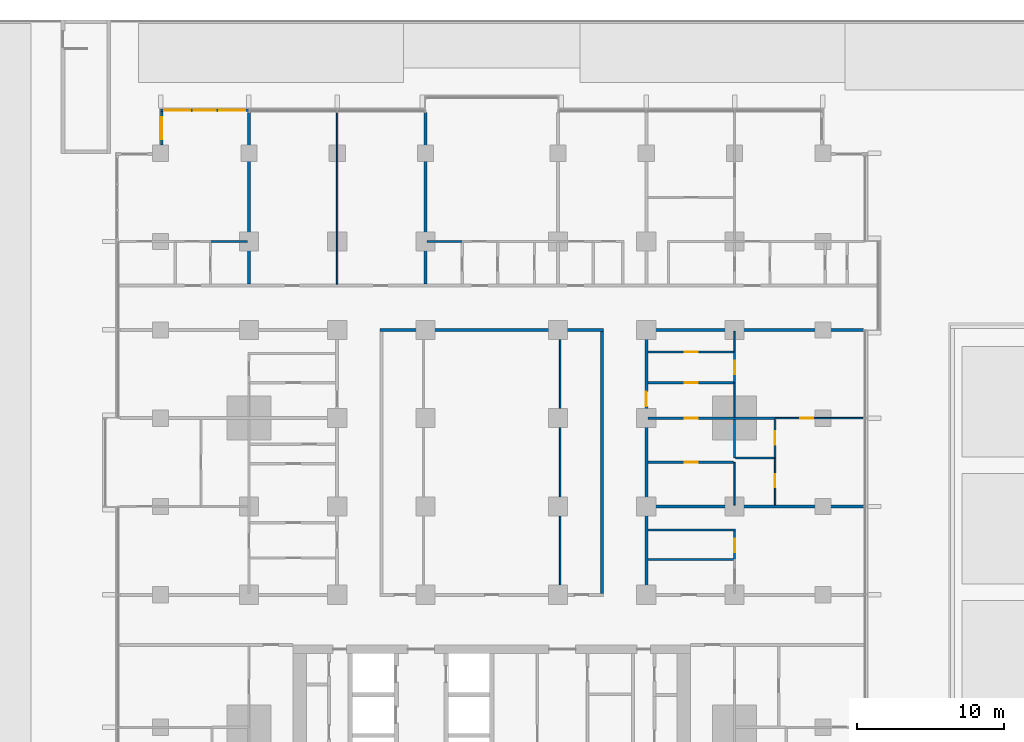
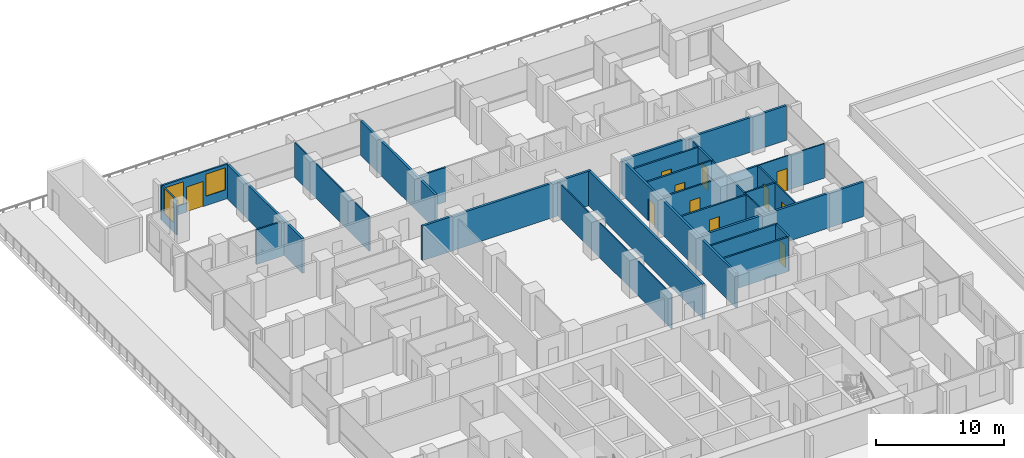
# One storey, part 14 of 25: 29 walls, 11 doors, 3 windows, 14 openings.
"""IFC4 building model written with IfcOpenShell, lengths in metres."""

from ifc_helpers import new_model, si_unit, direction, frame, frame_2d, origin, place, context, subcontext, project, spatial, rectangle, extrude, material, layer, layer_set, type_object, element, fill, save


model = new_model("IFC4")

# Units and contexts
model_context = context("Model", 3, precision=1e-05, world=origin(), true_north=direction((0.0, 1.0)))
body_context = subcontext(model_context, "Body", "Model", "MODEL_VIEW")
ifc_project = project(units=[si_unit("LENGTHUNIT", "METRE"), si_unit("AREAUNIT", "SQUARE_METRE"), si_unit("VOLUMEUNIT", "CUBIC_METRE"), si_unit("PLANEANGLEUNIT", "RADIAN"), si_unit("MASSUNIT", "GRAM", prefix="KILO")], contexts=[model_context])

# Site, building, storey
site_placement = place(None, origin())
site = spatial("IfcSite", under=ifc_project, at=site_placement, CompositionType="ELEMENT")
building_placement = place(site_placement, origin())
building = spatial("IfcBuilding", under=site, at=building_placement, Name="Finial Court Residences", CompositionType="ELEMENT")
storey_placement = place(building_placement, frame((0.0, 0.0, 32.5)))
storey = spatial("IfcBuildingStorey", under=building, at=storey_placement, Name="L06", CompositionType="ELEMENT", Elevation=32.5)

# Walls
ifc_material_1 = material(Name="Gypsum board")
ifc_layer_1 = layer(ifc_material_1, 0.02490234375)
ifc_material_2 = material(Name="Acoustic mineral wool in double frame")
ifc_layer_2 = layer(ifc_material_2, 0.14990234375)
ifc_layer_3 = layer(ifc_material_1, 0.02490234375)
ifc_layer_set_1 = layer_set([ifc_layer_1, ifc_layer_2, ifc_layer_3], Name="Acoustic party wall 200, 1 hour")
wall_type_1 = type_object("IfcWallType", Name="Acoustic party wall 200, 1 hour", PredefinedType="PARTITIONING", material=ifc_layer_set_1)
wall_1_placement = place(storey_placement, frame((10.60009765625, 1.5, 0.0), z_axis=(0.0, 0.0, 1.0), x_axis=(1.0, 0.0, 0.0)))
element("IfcWall", 1, at=wall_1_placement, inside=storey, type_object=wall_type_1, Name="Partition L06-019", PredefinedType="PARTITIONING", context=body_context, shape_type="SweptSolid", body=[
    extrude(rectangle(XDim=14.64990234375, YDim=0.199951171875, at=frame_2d((7.324951171875, 0.0))), origin(), (0.0, 0.0, 1.0), 3.300048828125),
])
ifc_layer_4 = layer(ifc_material_1, 0.02490234375)
ifc_layer_5 = layer(ifc_material_2, 0.14990234375)
ifc_layer_6 = layer(ifc_material_1, 0.02490234375)
ifc_layer_set_2 = layer_set([ifc_layer_4, ifc_layer_5, ifc_layer_6], Name="Corridor wall 200, 1 hour")
wall_type_2 = type_object("IfcWallType", Name="Corridor wall 200, 1 hour", PredefinedType="PARTITIONING", material=ifc_layer_set_2)
wall_2_placement = place(storey_placement, frame((-7.60009765625, 13.5, 0.0), z_axis=(0.0, 0.0, 1.0), x_axis=(1.0, 0.0, 0.0)))
element("IfcWall", 2, at=wall_2_placement, inside=storey, type_object=wall_type_2, Name="Partition L06-032", PredefinedType="PARTITIONING", context=body_context, shape_type="SweptSolid", body=[
    extrude(rectangle(XDim=15.2001953125, YDim=0.199951171875, at=frame_2d((7.60009765625, 0.0))), origin(), (0.0, 0.0, 1.0), 3.300048828125),
])
wall_3_placement = place(storey_placement, frame((10.39990234375, 13.5, 0.0), z_axis=(0.0, 0.0, 1.0), x_axis=(1.0, 0.0, 0.0)))
element("IfcWall", 3, at=wall_3_placement, inside=storey, type_object=wall_type_2, Name="Partition L06-033", PredefinedType="PARTITIONING", context=body_context, shape_type="SweptSolid", body=[
    extrude(rectangle(XDim=14.85009765625, YDim=0.199951171875, at=frame_2d((7.425048828125, 0.0))), origin(), (0.0, 0.0, 1.0), 3.300048828125),
])
for number, where, z_axis, x_axis, name in (
    (4, (-16.5, 16.60009765625, 0.0), (0.0, 0.0, 1.0), (0.0, 1.0, 0.0), "Partition L06-051"),
    (5, (-4.5, 16.60009765625, 0.0), (0.0, 0.0, 1.0), (0.0, 1.0, 0.0), "Partition L06-065"),
):
    element("IfcWall", number, at=place(storey_placement, frame(where, z_axis=z_axis, x_axis=x_axis)), inside=storey, type_object=wall_type_2, Name=name, PredefinedType="PARTITIONING", context=body_context, shape_type="SweptSolid", body=[
        extrude(rectangle(XDim=11.64990234375, YDim=0.199951171875, at=frame_2d((5.824951171875, 0.0))), origin(), (0.0, 0.0, 1.0), 3.300048828125),
    ])
wall_4_placement = place(storey_placement, frame((7.5, -4.39990234375, 0.0), z_axis=(0.0, 0.0, 1.0), x_axis=(0.0, 1.0, 0.0)))
element("IfcWall", 6, at=wall_4_placement, inside=storey, type_object=wall_type_2, Name="Partition L06-073", PredefinedType="PARTITIONING", context=body_context, shape_type="SweptSolid", body=[
    extrude(rectangle(XDim=17.7998046875, YDim=0.199951171875, at=frame_2d((8.89990234375, 0.0))), origin(), (0.0, 0.0, 1.0), 3.300048828125),
])

# Wall, opening, door
wall_5_placement = place(storey_placement, frame((10.5, -4.39990234375, 0.0), z_axis=(0.0, 0.0, 1.0), x_axis=(0.0, 1.0, 0.0)))
wall_5 = element("IfcWall", 7, at=wall_5_placement, inside=storey, type_object=wall_type_2, Name="Partition L06-075", PredefinedType="PARTITIONING", context=body_context, shape_type="SweptSolid", body=[
    extrude(rectangle(XDim=17.7998046875, YDim=0.199951171875, at=frame_2d((8.89990234375, 0.0))), origin(), (0.0, 0.0, 1.0), 3.300048828125),
])
opening_1_placement = place(wall_5_placement, frame((12.699951171875, 0.0, 0.0)))
opening_1 = element("IfcOpeningElement", 8, at=opening_1_placement, cuts=wall_5, Name="Opening L06-D047", PredefinedType="OPENING", context=body_context, shape_type="SweptSolid", body=[
    extrude(rectangle(XDim=1.0, YDim=2.10009765625, at=frame_2d((0.5, 1.050048828125))), frame((0.0, 0.10986328125, 0.0), z_axis=(0.0, -1.0, 0.0), x_axis=(1.0, 0.0, 0.0)), (0.0, 0.0, 1.0), 0.219970703125),
])
ifc_material_3 = material(Name="Timber door leaf in hollow metal frame", Category="wood")
door_type_1 = type_object("IfcDoorType", Name="Fire door set 1000 x 2100, 30 minutes", OperationType="SINGLE_SWING_LEFT", PredefinedType="DOOR", material=ifc_material_3)
door_1_placement = place(opening_1_placement, origin())
door_1 = element("IfcDoor", 9, at=door_1_placement, inside=storey, type_object=door_type_1, Name="Door L06-D047", OperationType="SINGLE_SWING_RIGHT", OverallHeight=2.10009765625, OverallWidth=1.0, PredefinedType="DOOR", context=body_context, shape_type="SweptSolid", body=[
    extrude(rectangle(XDim=1.0, YDim=2.10009765625, at=frame_2d((0.5, 1.050048828125))), frame((0.0, 0.02490234375, 0.0), z_axis=(0.0, -1.0, 0.0), x_axis=(1.0, 0.0, 0.0)), (0.0, 0.0, 1.0), 0.050048828125),
])
fill(opening_1, door_1)

ifc_layer_7 = layer(ifc_material_1, 0.012451171875)
ifc_material_4 = material(Name="Mineral wool in light-gauge frame")
ifc_layer_8 = layer(ifc_material_4, 0.074951171875)
ifc_layer_9 = layer(ifc_material_1, 0.012451171875)
ifc_layer_set_3 = layer_set([ifc_layer_7, ifc_layer_8, ifc_layer_9], Name="Gypsum board partition 100")
wall_type_3 = type_object("IfcWallType", Name="Gypsum board partition 100", PredefinedType="PARTITIONING", material=ifc_layer_set_3)
wall_6_placement = place(storey_placement, frame((19.25, 7.5, 0.0), z_axis=(0.0, 0.0, 1.0), x_axis=(1.0, 0.0, 0.0)))
wall_6 = element("IfcWall", 10, at=wall_6_placement, inside=storey, type_object=wall_type_3, Name="Partition L06-024", PredefinedType="PARTITIONING", context=body_context, shape_type="SweptSolid", body=[
    extrude(rectangle(XDim=6.0, YDim=0.10009765625, at=frame_2d((3.0, 0.0))), origin(), (0.0, 0.0, 1.0), 3.300048828125),
])
opening_2_placement = place(wall_6_placement, frame((1.699951171875, 0.0, 0.0)))
opening_2 = element("IfcOpeningElement", 11, at=opening_2_placement, cuts=wall_6, Name="Opening L06-D017", PredefinedType="OPENING", context=body_context, shape_type="SweptSolid", body=[
    extrude(rectangle(XDim=0.89990234375, YDim=2.10009765625, at=frame_2d((0.449951171875, 1.050048828125))), frame((0.0, 0.06005859375, 0.0), z_axis=(0.0, -1.0, 0.0), x_axis=(1.0, 0.0, 0.0)), (0.0, 0.0, 1.0), 0.1201171875),
])
ifc_material_5 = material(Name="Timber door leaf in timber frame", Category="wood")
door_type_2 = type_object("IfcDoorType", Name="Door set 900 x 2100", OperationType="SINGLE_SWING_LEFT", PredefinedType="DOOR", material=ifc_material_5)
door_2_placement = place(opening_2_placement, origin())
door_2 = element("IfcDoor", 12, at=door_2_placement, inside=storey, type_object=door_type_2, Name="Door L06-D017", OperationType="SINGLE_SWING_LEFT", OverallHeight=2.10009765625, OverallWidth=0.89990234375, PredefinedType="DOOR", context=body_context, shape_type="SweptSolid", body=[
    extrude(rectangle(XDim=0.89990234375, YDim=2.10009765625, at=frame_2d((0.449951171875, 1.050048828125))), frame((0.0, 0.02490234375, 0.0), z_axis=(0.0, -1.0, 0.0), x_axis=(1.0, 0.0, 0.0)), (0.0, 0.0, 1.0), 0.050048828125),
])
fill(opening_2, door_2)

# Walls
wall_7_placement = place(storey_placement, frame((-10.5, 16.60009765625, 0.0), z_axis=(0.0, 0.0, 1.0), x_axis=(0.0, 1.0, 0.0)))
element("IfcWall", 13, at=wall_7_placement, inside=storey, type_object=wall_type_3, Name="Partition L06-062", PredefinedType="PARTITIONING", context=body_context, shape_type="SweptSolid", body=[
    extrude(rectangle(XDim=11.64990234375, YDim=0.10009765625, at=frame_2d((5.824951171875, 0.0))), origin(), (0.0, 0.0, 1.0), 3.300048828125),
])
wall_8_placement = place(storey_placement, frame((4.64990234375, -4.39990234375, 0.0), z_axis=(0.0, 0.0, 1.0), x_axis=(0.0, 1.0, 0.0)))
element("IfcWall", 14, at=wall_8_placement, inside=storey, type_object=wall_type_3, Name="Partition L06-071", PredefinedType="PARTITIONING", context=body_context, shape_type="SweptSolid", body=[
    extrude(rectangle(XDim=17.7998046875, YDim=0.10009765625, at=frame_2d((8.89990234375, 0.0))), origin(), (0.0, 0.0, 1.0), 3.300048828125),
])
wall_9_placement = place(storey_placement, frame((16.5, 1.60009765625, 0.0), z_axis=(0.0, 0.0, 1.0), x_axis=(0.0, 1.0, 0.0)))
element("IfcWall", 15, at=wall_9_placement, inside=storey, type_object=wall_type_3, Name="Partition L06-080", PredefinedType="PARTITIONING", context=body_context, shape_type="SweptSolid", body=[
    extrude(rectangle(XDim=2.89990234375, YDim=0.10009765625, at=frame_2d((1.449951171875, 0.0))), origin(), (0.0, 0.0, 1.0), 3.300048828125),
])
wall_10_placement = place(storey_placement, frame((16.5, 7.574951171875, 0.0), z_axis=(0.0, 0.0, 1.0), x_axis=(0.0, 1.0, 0.0)))
element("IfcWall", 16, at=wall_10_placement, inside=storey, type_object=wall_type_3, Name="Partition L06-081", PredefinedType="PARTITIONING", context=body_context, shape_type="SweptSolid", body=[
    extrude(rectangle(XDim=2.324951171875, YDim=0.10009765625, at=frame_2d((1.16259765625, 0.0))), origin(), (0.0, 0.0, 1.0), 3.300048828125),
])
wall_11_placement = place(storey_placement, frame((16.5, 12.0, 0.0), z_axis=(0.0, 0.0, 1.0), x_axis=(0.0, 1.0, 0.0)))
element("IfcWall", 17, at=wall_11_placement, inside=storey, type_object=wall_type_3, Name="Partition L06-082", PredefinedType="PARTITIONING", context=body_context, shape_type="SweptSolid", body=[
    extrude(rectangle(XDim=1.39990234375, YDim=0.10009765625, at=frame_2d((0.699951171875, 0.0))), origin(), (0.0, 0.0, 1.0), 3.300048828125),
])

# Wall, opening, door
wall_12_placement = place(storey_placement, frame((19.25, 1.60009765625, 0.0), z_axis=(0.0, 0.0, 1.0), x_axis=(0.0, 1.0, 0.0)))
wall_12 = element("IfcWall", 18, at=wall_12_placement, inside=storey, type_object=wall_type_3, Name="Partition L06-091", PredefinedType="PARTITIONING", context=body_context, shape_type="SweptSolid", body=[
    extrude(rectangle(XDim=3.199951171875, YDim=0.10009765625, at=frame_2d((1.60009765625, 0.0))), origin(), (0.0, 0.0, 1.0), 3.300048828125),
])
opening_3_placement = place(wall_12_placement, frame((1.199951171875, 0.0, 0.0)))
opening_3 = element("IfcOpeningElement", 19, at=opening_3_placement, cuts=wall_12, Name="Opening L06-D055", PredefinedType="OPENING", context=body_context, shape_type="SweptSolid", body=[
    extrude(rectangle(XDim=0.89990234375, YDim=2.10009765625, at=frame_2d((0.449951171875, 1.050048828125))), frame((0.0, 0.06005859375, 0.0), z_axis=(0.0, -1.0, 0.0), x_axis=(1.0, 0.0, 0.0)), (0.0, 0.0, 1.0), 0.1201171875),
])
door_3_placement = place(opening_3_placement, origin())
door_3 = element("IfcDoor", 20, at=door_3_placement, inside=storey, type_object=door_type_2, Name="Door L06-D055", OperationType="SINGLE_SWING_RIGHT", OverallHeight=2.10009765625, OverallWidth=0.89990234375, PredefinedType="DOOR", context=body_context, shape_type="SweptSolid", body=[
    extrude(rectangle(XDim=0.89990234375, YDim=2.10009765625, at=frame_2d((0.449951171875, 1.050048828125))), frame((0.0, 0.02490234375, 0.0), z_axis=(0.0, -1.0, 0.0), x_axis=(1.0, 0.0, 0.0)), (0.0, 0.0, 1.0), 0.050048828125),
])
fill(opening_3, door_3)

# Walls
ifc_material_6 = material(Name="Moisture-resistant gypsum board")
ifc_layer_10 = layer(ifc_material_6, 0.012451171875)
ifc_layer_11 = layer(ifc_material_4, 0.125)
ifc_layer_12 = layer(ifc_material_6, 0.012451171875)
ifc_layer_set_4 = layer_set([ifc_layer_10, ifc_layer_11, ifc_layer_12], Name="Gypsum board wet-area partition 150")
wall_type_4 = type_object("IfcWallType", Name="Gypsum board wet-area partition 150", PredefinedType="PARTITIONING", material=ifc_layer_set_4)
wall_13_placement = place(storey_placement, frame((10.60009765625, -2.10009765625, 0.0), z_axis=(0.0, 0.0, 1.0), x_axis=(1.0, 0.0, 0.0)))
element("IfcWall", 21, at=wall_13_placement, inside=storey, type_object=wall_type_4, Name="Partition L06-014", PredefinedType="PARTITIONING", context=body_context, shape_type="SweptSolid", body=[
    extrude(rectangle(XDim=5.824951171875, YDim=0.14990234375, at=frame_2d((2.91259765625, 0.0))), origin(), (0.0, 0.0, 1.0), 3.300048828125),
])
wall_14_placement = place(storey_placement, frame((10.60009765625, -0.10009765625, 0.0), z_axis=(0.0, 0.0, 1.0), x_axis=(1.0, 0.0, 0.0)))
element("IfcWall", 22, at=wall_14_placement, inside=storey, type_object=wall_type_4, Name="Partition L06-016", PredefinedType="PARTITIONING", context=body_context, shape_type="SweptSolid", body=[
    extrude(rectangle(XDim=5.974853515625, YDim=0.14990234375, at=frame_2d((2.9873046875, 0.0))), origin(), (0.0, 0.0, 1.0), 3.300048828125),
])

# Wall, opening, door
wall_15_placement = place(storey_placement, frame((10.60009765625, 4.5, 0.0), z_axis=(0.0, 0.0, 1.0), x_axis=(1.0, 0.0, 0.0)))
wall_15 = element("IfcWall", 23, at=wall_15_placement, inside=storey, type_object=wall_type_4, Name="Partition L06-021", PredefinedType="PARTITIONING", context=body_context, shape_type="SweptSolid", body=[
    extrude(rectangle(XDim=5.824951171875, YDim=0.14990234375, at=frame_2d((2.91259765625, 0.0))), origin(), (0.0, 0.0, 1.0), 3.300048828125),
])
opening_4_placement = place(wall_15_placement, frame((2.5, 0.0, 0.0)))
opening_4 = element("IfcOpeningElement", 24, at=opening_4_placement, cuts=wall_15, Name="Opening L06-D015", PredefinedType="OPENING", context=body_context, shape_type="SweptSolid", body=[
    extrude(rectangle(XDim=0.89990234375, YDim=2.10009765625, at=frame_2d((0.449951171875, 1.050048828125))), frame((0.0, 0.0849609375, 0.0), z_axis=(0.0, -1.0, 0.0), x_axis=(1.0, 0.0, 0.0)), (0.0, 0.0, 1.0), 0.169921875),
])
door_4_placement = place(opening_4_placement, origin())
door_4 = element("IfcDoor", 25, at=door_4_placement, inside=storey, type_object=door_type_2, Name="Door L06-D015", OperationType="SINGLE_SWING_LEFT", OverallHeight=2.10009765625, OverallWidth=0.89990234375, PredefinedType="DOOR", context=body_context, shape_type="SweptSolid", body=[
    extrude(rectangle(XDim=0.89990234375, YDim=2.10009765625, at=frame_2d((0.449951171875, 1.050048828125))), frame((0.0, 0.02490234375, 0.0), z_axis=(0.0, -1.0, 0.0), x_axis=(1.0, 0.0, 0.0)), (0.0, 0.0, 1.0), 0.050048828125),
])
fill(opening_4, door_4)

# Wall
wall_16_placement = place(storey_placement, frame((16.574951171875, 4.800048828125, 0.0), z_axis=(0.0, 0.0, 1.0), x_axis=(1.0, 0.0, 0.0)))
element("IfcWall", 26, at=wall_16_placement, inside=storey, type_object=wall_type_4, Name="Partition L06-022", PredefinedType="PARTITIONING", context=body_context, shape_type="SweptSolid", body=[
    extrude(rectangle(XDim=2.60009765625, YDim=0.14990234375, at=frame_2d((1.300048828125, 0.0))), origin(), (0.0, 0.0, 1.0), 3.300048828125),
])

# Wall, opening, door
wall_17_placement = place(storey_placement, frame((10.60009765625, 7.5, 0.0), z_axis=(0.0, 0.0, 1.0), x_axis=(1.0, 0.0, 0.0)))
wall_17 = element("IfcWall", 27, at=wall_17_placement, inside=storey, type_object=wall_type_4, Name="Partition L06-026", PredefinedType="PARTITIONING", context=body_context, shape_type="SweptSolid", body=[
    extrude(rectangle(XDim=8.64990234375, YDim=0.14990234375, at=frame_2d((4.324951171875, 0.0))), origin(), (0.0, 0.0, 1.0), 3.300048828125),
])
opening_5_placement = place(wall_17_placement, frame((2.5, 0.0, 0.0)))
opening_5 = element("IfcOpeningElement", 28, at=opening_5_placement, cuts=wall_17, Name="Opening L06-D018", PredefinedType="OPENING", context=body_context, shape_type="SweptSolid", body=[
    extrude(rectangle(XDim=0.89990234375, YDim=2.10009765625, at=frame_2d((0.449951171875, 1.050048828125))), frame((0.0, 0.0849609375, 0.0), z_axis=(0.0, -1.0, 0.0), x_axis=(1.0, 0.0, 0.0)), (0.0, 0.0, 1.0), 0.169921875),
])
door_5_placement = place(opening_5_placement, origin())
door_5 = element("IfcDoor", 29, at=door_5_placement, inside=storey, type_object=door_type_2, Name="Door L06-D018", OperationType="SINGLE_SWING_LEFT", OverallHeight=2.10009765625, OverallWidth=0.89990234375, PredefinedType="DOOR", context=body_context, shape_type="SweptSolid", body=[
    extrude(rectangle(XDim=0.89990234375, YDim=2.10009765625, at=frame_2d((0.449951171875, 1.050048828125))), frame((0.0, 0.02490234375, 0.0), z_axis=(0.0, -1.0, 0.0), x_axis=(1.0, 0.0, 0.0)), (0.0, 0.0, 1.0), 0.050048828125),
])
fill(opening_5, door_5)

wall_18_placement = place(storey_placement, frame((10.60009765625, 9.89990234375, 0.0), z_axis=(0.0, 0.0, 1.0), x_axis=(1.0, 0.0, 0.0)))
wall_18 = element("IfcWall", 30, at=wall_18_placement, inside=storey, type_object=wall_type_4, Name="Partition L06-028", PredefinedType="PARTITIONING", context=body_context, shape_type="SweptSolid", body=[
    extrude(rectangle(XDim=5.824951171875, YDim=0.14990234375, at=frame_2d((2.91259765625, 0.0))), origin(), (0.0, 0.0, 1.0), 3.300048828125),
])
opening_6_placement = place(wall_18_placement, frame((2.5, 0.0, 0.0)))
opening_6 = element("IfcOpeningElement", 31, at=opening_6_placement, cuts=wall_18, Name="Opening L06-D020", PredefinedType="OPENING", context=body_context, shape_type="SweptSolid", body=[
    extrude(rectangle(XDim=0.89990234375, YDim=2.10009765625, at=frame_2d((0.449951171875, 1.050048828125))), frame((0.0, 0.0849609375, 0.0), z_axis=(0.0, -1.0, 0.0), x_axis=(1.0, 0.0, 0.0)), (0.0, 0.0, 1.0), 0.169921875),
])
door_6_placement = place(opening_6_placement, origin())
door_6 = element("IfcDoor", 32, at=door_6_placement, inside=storey, type_object=door_type_2, Name="Door L06-D020", OperationType="SINGLE_SWING_LEFT", OverallHeight=2.10009765625, OverallWidth=0.89990234375, PredefinedType="DOOR", context=body_context, shape_type="SweptSolid", body=[
    extrude(rectangle(XDim=0.89990234375, YDim=2.10009765625, at=frame_2d((0.449951171875, 1.050048828125))), frame((0.0, 0.02490234375, 0.0), z_axis=(0.0, -1.0, 0.0), x_axis=(1.0, 0.0, 0.0)), (0.0, 0.0, 1.0), 0.050048828125),
])
fill(opening_6, door_6)

wall_19_placement = place(storey_placement, frame((10.60009765625, 12.0, 0.0), z_axis=(0.0, 0.0, 1.0), x_axis=(1.0, 0.0, 0.0)))
wall_19 = element("IfcWall", 33, at=wall_19_placement, inside=storey, type_object=wall_type_4, Name="Partition L06-030", PredefinedType="PARTITIONING", context=body_context, shape_type="SweptSolid", body=[
    extrude(rectangle(XDim=5.824951171875, YDim=0.14990234375, at=frame_2d((2.91259765625, 0.0))), origin(), (0.0, 0.0, 1.0), 3.300048828125),
])
opening_7_placement = place(wall_19_placement, frame((2.5, 0.0, 0.0)))
opening_7 = element("IfcOpeningElement", 34, at=opening_7_placement, cuts=wall_19, Name="Opening L06-D021", PredefinedType="OPENING", context=body_context, shape_type="SweptSolid", body=[
    extrude(rectangle(XDim=0.89990234375, YDim=2.10009765625, at=frame_2d((0.449951171875, 1.050048828125))), frame((0.0, 0.0849609375, 0.0), z_axis=(0.0, -1.0, 0.0), x_axis=(1.0, 0.0, 0.0)), (0.0, 0.0, 1.0), 0.169921875),
])
door_7_placement = place(opening_7_placement, origin())
door_7 = element("IfcDoor", 35, at=door_7_placement, inside=storey, type_object=door_type_2, Name="Door L06-D021", OperationType="SINGLE_SWING_LEFT", OverallHeight=2.10009765625, OverallWidth=0.89990234375, PredefinedType="DOOR", context=body_context, shape_type="SweptSolid", body=[
    extrude(rectangle(XDim=0.89990234375, YDim=2.10009765625, at=frame_2d((0.449951171875, 1.050048828125))), frame((0.0, 0.02490234375, 0.0), z_axis=(0.0, -1.0, 0.0), x_axis=(1.0, 0.0, 0.0)), (0.0, 0.0, 1.0), 0.050048828125),
])
fill(opening_7, door_7)

# Walls
wall_20_placement = place(storey_placement, frame((-19.10009765625, 19.5, 0.0), z_axis=(0.0, 0.0, 1.0), x_axis=(1.0, 0.0, 0.0)))
element("IfcWall", 36, at=wall_20_placement, inside=storey, type_object=wall_type_4, Name="Partition L06-040", PredefinedType="PARTITIONING", context=body_context, shape_type="SweptSolid", body=[
    extrude(rectangle(XDim=2.5, YDim=0.14990234375, at=frame_2d((1.25, 0.0))), origin(), (0.0, 0.0, 1.0), 3.300048828125),
])
wall_21_placement = place(storey_placement, frame((-4.39990234375, 19.5, 0.0), z_axis=(0.0, 0.0, 1.0), x_axis=(1.0, 0.0, 0.0)))
element("IfcWall", 37, at=wall_21_placement, inside=storey, type_object=wall_type_4, Name="Partition L06-041", PredefinedType="PARTITIONING", context=body_context, shape_type="SweptSolid", body=[
    extrude(rectangle(XDim=2.39990234375, YDim=0.14990234375, at=frame_2d((1.199951171875, 0.0))), origin(), (0.0, 0.0, 1.0), 3.300048828125),
])

# Wall, opening, door
wall_22_placement = place(storey_placement, frame((16.5, -2.10009765625, 0.0), z_axis=(0.0, 0.0, 1.0), x_axis=(0.0, 1.0, 0.0)))
wall_22 = element("IfcWall", 38, at=wall_22_placement, inside=storey, type_object=wall_type_4, Name="Partition L06-086", PredefinedType="PARTITIONING", context=body_context, shape_type="SweptSolid", body=[
    extrude(rectangle(XDim=1.925048828125, YDim=0.14990234375, at=frame_2d((0.96240234375, 0.0))), origin(), (0.0, 0.0, 1.0), 3.300048828125),
])
opening_8_placement = place(wall_22_placement, frame((0.5, 0.0, 0.0)))
opening_8 = element("IfcOpeningElement", 39, at=opening_8_placement, cuts=wall_22, Name="Opening L06-D051", PredefinedType="OPENING", context=body_context, shape_type="SweptSolid", body=[
    extrude(rectangle(XDim=0.89990234375, YDim=2.10009765625, at=frame_2d((0.449951171875, 1.050048828125))), frame((0.0, 0.0849609375, 0.0), z_axis=(0.0, -1.0, 0.0), x_axis=(1.0, 0.0, 0.0)), (0.0, 0.0, 1.0), 0.169921875),
])
door_8_placement = place(opening_8_placement, origin())
door_8 = element("IfcDoor", 40, at=door_8_placement, inside=storey, type_object=door_type_2, Name="Door L06-D051", OperationType="SINGLE_SWING_RIGHT", OverallHeight=2.10009765625, OverallWidth=0.89990234375, PredefinedType="DOOR", context=body_context, shape_type="SweptSolid", body=[
    extrude(rectangle(XDim=0.89990234375, YDim=2.10009765625, at=frame_2d((0.449951171875, 1.050048828125))), frame((0.0, 0.02490234375, 0.0), z_axis=(0.0, -1.0, 0.0), x_axis=(1.0, 0.0, 0.0)), (0.0, 0.0, 1.0), 0.050048828125),
])
fill(opening_8, door_8)

# Wall
wall_23_placement = place(storey_placement, frame((16.5, 4.800048828125, 0.0), z_axis=(0.0, 0.0, 1.0), x_axis=(0.0, 1.0, 0.0)))
element("IfcWall", 41, at=wall_23_placement, inside=storey, type_object=wall_type_4, Name="Partition L06-087", PredefinedType="PARTITIONING", context=body_context, shape_type="SweptSolid", body=[
    extrude(rectangle(XDim=2.625, YDim=0.14990234375, at=frame_2d((1.3125, 0.0))), origin(), (0.0, 0.0, 1.0), 3.300048828125),
])

# Wall, opening, door
wall_24_placement = place(storey_placement, frame((16.5, 9.89990234375, 0.0), z_axis=(0.0, 0.0, 1.0), x_axis=(0.0, 1.0, 0.0)))
wall_24 = element("IfcWall", 42, at=wall_24_placement, inside=storey, type_object=wall_type_4, Name="Partition L06-088", PredefinedType="PARTITIONING", context=body_context, shape_type="SweptSolid", body=[
    extrude(rectangle(XDim=2.10009765625, YDim=0.14990234375, at=frame_2d((1.050048828125, 0.0))), origin(), (0.0, 0.0, 1.0), 3.300048828125),
])
opening_9_placement = place(wall_24_placement, frame((0.60009765625, 0.0, 0.0)))
opening_9 = element("IfcOpeningElement", 43, at=opening_9_placement, cuts=wall_24, Name="Opening L06-D052", PredefinedType="OPENING", context=body_context, shape_type="SweptSolid", body=[
    extrude(rectangle(XDim=0.89990234375, YDim=2.10009765625, at=frame_2d((0.449951171875, 1.050048828125))), frame((0.0, 0.0849609375, 0.0), z_axis=(0.0, -1.0, 0.0), x_axis=(1.0, 0.0, 0.0)), (0.0, 0.0, 1.0), 0.169921875),
])
door_9_placement = place(opening_9_placement, origin())
door_9 = element("IfcDoor", 44, at=door_9_placement, inside=storey, type_object=door_type_2, Name="Door L06-D052", OperationType="SINGLE_SWING_LEFT", OverallHeight=2.10009765625, OverallWidth=0.89990234375, PredefinedType="DOOR", context=body_context, shape_type="SweptSolid", body=[
    extrude(rectangle(XDim=0.89990234375, YDim=2.10009765625, at=frame_2d((0.449951171875, 1.050048828125))), frame((0.0, 0.02490234375, 0.0), z_axis=(0.0, -1.0, 0.0), x_axis=(1.0, 0.0, 0.0)), (0.0, 0.0, 1.0), 0.050048828125),
])
fill(opening_9, door_9)

wall_25_placement = place(storey_placement, frame((19.25, 4.800048828125, 0.0), z_axis=(0.0, 0.0, 1.0), x_axis=(0.0, 1.0, 0.0)))
wall_25 = element("IfcWall", 45, at=wall_25_placement, inside=storey, type_object=wall_type_4, Name="Partition L06-092", PredefinedType="PARTITIONING", context=body_context, shape_type="SweptSolid", body=[
    extrude(rectangle(XDim=2.625, YDim=0.14990234375, at=frame_2d((1.3125, 0.0))), origin(), (0.0, 0.0, 1.0), 3.300048828125),
])
opening_10_placement = place(wall_25_placement, frame((0.89990234375, 0.0, 0.0)))
opening_10 = element("IfcOpeningElement", 46, at=opening_10_placement, cuts=wall_25, Name="Opening L06-D056", PredefinedType="OPENING", context=body_context, shape_type="SweptSolid", body=[
    extrude(rectangle(XDim=0.89990234375, YDim=2.10009765625, at=frame_2d((0.449951171875, 1.050048828125))), frame((0.0, 0.0849609375, 0.0), z_axis=(0.0, -1.0, 0.0), x_axis=(1.0, 0.0, 0.0)), (0.0, 0.0, 1.0), 0.169921875),
])
door_10_placement = place(opening_10_placement, origin())
door_10 = element("IfcDoor", 47, at=door_10_placement, inside=storey, type_object=door_type_2, Name="Door L06-D056", OperationType="SINGLE_SWING_RIGHT", OverallHeight=2.10009765625, OverallWidth=0.89990234375, PredefinedType="DOOR", context=body_context, shape_type="SweptSolid", body=[
    extrude(rectangle(XDim=0.89990234375, YDim=2.10009765625, at=frame_2d((0.449951171875, 1.050048828125))), frame((0.0, 0.02490234375, 0.0), z_axis=(0.0, -1.0, 0.0), x_axis=(1.0, 0.0, 0.0)), (0.0, 0.0, 1.0), 0.050048828125),
])
fill(opening_10, door_10)

# Wall, opening, window
ifc_material_7 = material(Name="Natural limestone", Category="masonry")
ifc_layer_13 = layer(ifc_material_7, 0.14990234375)
ifc_layer_set_5 = layer_set([ifc_layer_13], Name="Limestone clad wall 150")
wall_type_5 = type_object("IfcWallType", Name="Limestone clad wall 150", PredefinedType="SOLIDWALL", material=ifc_layer_set_5)
wall_26_placement = place(storey_placement, frame((-22.425048828125, 26.050048828125, 0.0), z_axis=(0.0, 0.0, 1.0), x_axis=(0.0, 1.0, 0.0)))
wall_26 = element("IfcWall", 48, at=wall_26_placement, inside=storey, type_object=wall_type_5, Name="E-L06-NWW16", PredefinedType="SOLIDWALL", context=body_context, shape_type="SweptSolid", body=[
    extrude(rectangle(XDim=2.300048828125, YDim=0.14990234375, at=frame_2d((1.14990234375, 0.0))), origin(), (0.0, 0.0, 1.0), 3.300048828125),
])
opening_11_placement = place(wall_26_placement, frame((0.39990234375, 0.0, 0.89990234375)))
opening_11 = element("IfcOpeningElement", 49, at=opening_11_placement, cuts=wall_26, Name="Opening WE06-05", PredefinedType="OPENING", context=body_context, shape_type="SweptSolid", body=[
    extrude(rectangle(XDim=1.5, YDim=2.39990234375, at=frame_2d((0.75, 1.199951171875))), frame((0.0, 0.0849609375, 0.0), z_axis=(0.0, -1.0, 0.0), x_axis=(1.0, 0.0, 0.0)), (0.0, 0.0, 1.0), 0.169921875),
])
ifc_material_8 = material(Name="Clear low-e glass", Category="glass")
window_type_1 = type_object("IfcWindowType", Name="Corner window 1500 x 2400", PartitioningType="SINGLE_PANEL", PredefinedType="WINDOW", material=ifc_material_8)
window_1_placement = place(opening_11_placement, origin())
window_1 = element("IfcWindow", 50, at=window_1_placement, inside=storey, type_object=window_type_1, Name="E-L06-NWW16-W1", OverallHeight=2.39990234375, OverallWidth=1.5, PartitioningType="SINGLE_PANEL", PredefinedType="WINDOW", context=body_context, shape_type="SweptSolid", body=[
    extrude(rectangle(XDim=1.5, YDim=2.39990234375, at=frame_2d((0.75, 1.199951171875))), frame((0.0, 0.030029296875, 0.0), z_axis=(0.0, -1.0, 0.0), x_axis=(1.0, 0.0, 0.0)), (0.0, 0.0, 1.0), 0.06005859375),
])
fill(opening_11, window_1)

# Wall, openings, door, windows
wall_27_placement = place(storey_placement, frame((-22.5, 28.425048828125, 0.0), z_axis=(0.0, 0.0, 1.0), x_axis=(1.0, 0.0, 0.0)))
wall_27 = element("IfcWall", 51, at=wall_27_placement, inside=storey, type_object=wall_type_5, Name="E-L06-L06-TD1-W", PredefinedType="SOLIDWALL", context=body_context, shape_type="SweptSolid", body=[
    extrude(rectangle(XDim=6.0, YDim=0.14990234375, at=frame_2d((3.0, 0.0))), origin(), (0.0, 0.0, 1.0), 3.300048828125),
])
opening_12_placement = place(wall_27_placement, frame((2.25, 0.0, 0.0)))
opening_12 = element("IfcOpeningElement", 52, at=opening_12_placement, cuts=wall_27, Name="Opening DE06-01", PredefinedType="OPENING", context=body_context, shape_type="SweptSolid", body=[
    extrude(rectangle(XDim=1.5, YDim=2.39990234375, at=frame_2d((0.75, 1.199951171875))), frame((0.0, 0.0849609375, 0.0), z_axis=(0.0, -1.0, 0.0), x_axis=(1.0, 0.0, 0.0)), (0.0, 0.0, 1.0), 0.169921875),
])
opening_13_placement = place(wall_27_placement, frame((0.25, 0.0, 0.89990234375)))
opening_13 = element("IfcOpeningElement", 53, at=opening_13_placement, cuts=wall_27, Name="Opening WE06-09", PredefinedType="OPENING", context=body_context, shape_type="SweptSolid", body=[
    extrude(rectangle(XDim=1.75, YDim=2.10009765625, at=frame_2d((0.875, 1.050048828125))), frame((0.0, 0.0849609375, 0.0), z_axis=(0.0, -1.0, 0.0), x_axis=(1.0, 0.0, 0.0)), (0.0, 0.0, 1.0), 0.169921875),
])
opening_14_placement = place(wall_27_placement, frame((4.0, 0.0, 0.89990234375)))
opening_14 = element("IfcOpeningElement", 54, at=opening_14_placement, cuts=wall_27, Name="Opening WE06-10", PredefinedType="OPENING", context=body_context, shape_type="SweptSolid", body=[
    extrude(rectangle(XDim=1.75, YDim=2.10009765625, at=frame_2d((0.875, 1.050048828125))), frame((0.0, 0.0849609375, 0.0), z_axis=(0.0, -1.0, 0.0), x_axis=(1.0, 0.0, 0.0)), (0.0, 0.0, 1.0), 0.169921875),
])
ifc_material_9 = material(Name="Bronze anodised aluminium", Category="aluminium")
door_type_3 = type_object("IfcDoorType", Name="Terrace door 1500 x 2400", OperationType="DOUBLE_DOOR_SINGLE_SWING", PredefinedType="DOOR", material=ifc_material_9)
door_11_placement = place(opening_12_placement, origin())
door_11 = element("IfcDoor", 55, at=door_11_placement, inside=storey, type_object=door_type_3, Name="E-L06-L06-TD1-W-D", OperationType="DOUBLE_DOOR_SINGLE_SWING", OverallHeight=2.39990234375, OverallWidth=1.5, PredefinedType="DOOR", context=body_context, shape_type="SweptSolid", body=[
    extrude(rectangle(XDim=1.5, YDim=2.39990234375, at=frame_2d((0.75, 1.199951171875))), frame((0.0, 0.02490234375, 0.0), z_axis=(0.0, -1.0, 0.0), x_axis=(1.0, 0.0, 0.0)), (0.0, 0.0, 1.0), 0.050048828125),
])
fill(opening_12, door_11)
window_type_2 = type_object("IfcWindowType", Name="Terrace window 1750 x 2100", PartitioningType="SINGLE_PANEL", PredefinedType="WINDOW", material=ifc_material_8)
window_2_placement = place(opening_13_placement, origin())
window_2 = element("IfcWindow", 56, at=window_2_placement, inside=storey, type_object=window_type_2, Name="E-L06-L06-TD1-W-W1", OverallHeight=2.10009765625, OverallWidth=1.75, PartitioningType="SINGLE_PANEL", PredefinedType="WINDOW", context=body_context, shape_type="SweptSolid", body=[
    extrude(rectangle(XDim=1.75, YDim=2.10009765625, at=frame_2d((0.875, 1.050048828125))), frame((0.0, 0.030029296875, 0.0), z_axis=(0.0, -1.0, 0.0), x_axis=(1.0, 0.0, 0.0)), (0.0, 0.0, 1.0), 0.06005859375),
])
fill(opening_13, window_2)
window_3_placement = place(opening_14_placement, origin())
window_3 = element("IfcWindow", 57, at=window_3_placement, inside=storey, type_object=window_type_2, Name="E-L06-L06-TD1-W-W2", OverallHeight=2.10009765625, OverallWidth=1.75, PartitioningType="SINGLE_PANEL", PredefinedType="WINDOW", context=body_context, shape_type="SweptSolid", body=[
    extrude(rectangle(XDim=1.75, YDim=2.10009765625, at=frame_2d((0.875, 1.050048828125))), frame((0.0, 0.030029296875, 0.0), z_axis=(0.0, -1.0, 0.0), x_axis=(1.0, 0.0, 0.0)), (0.0, 0.0, 1.0), 0.06005859375),
])
fill(opening_14, window_3)

save(model, "model.ifc")
